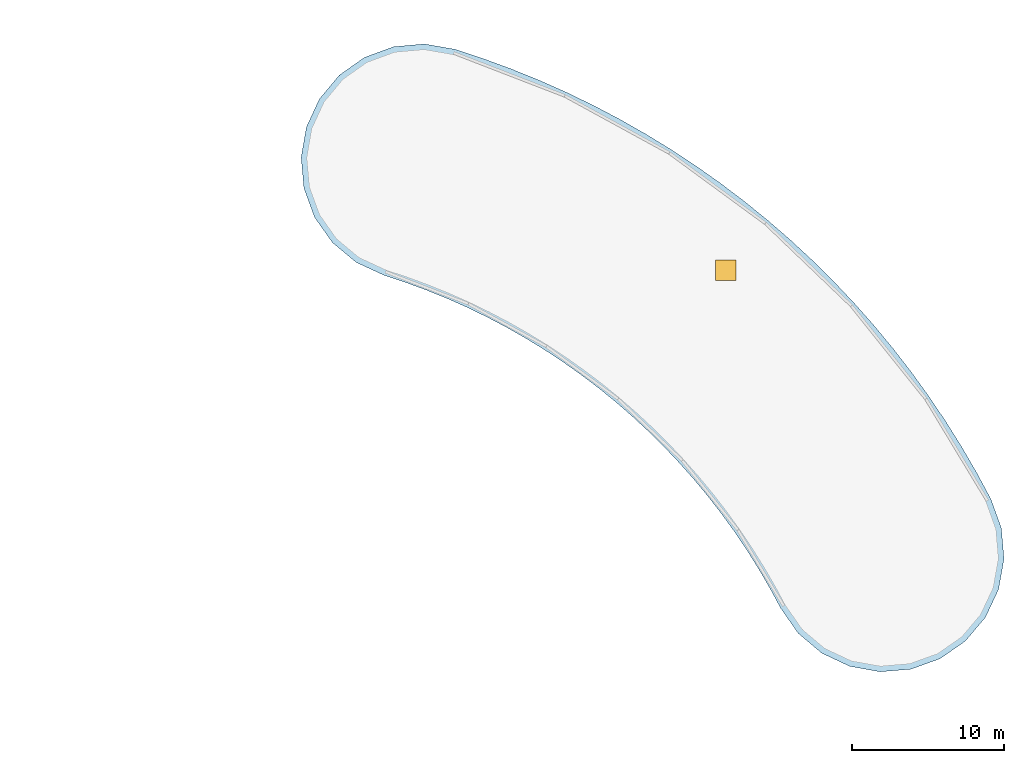
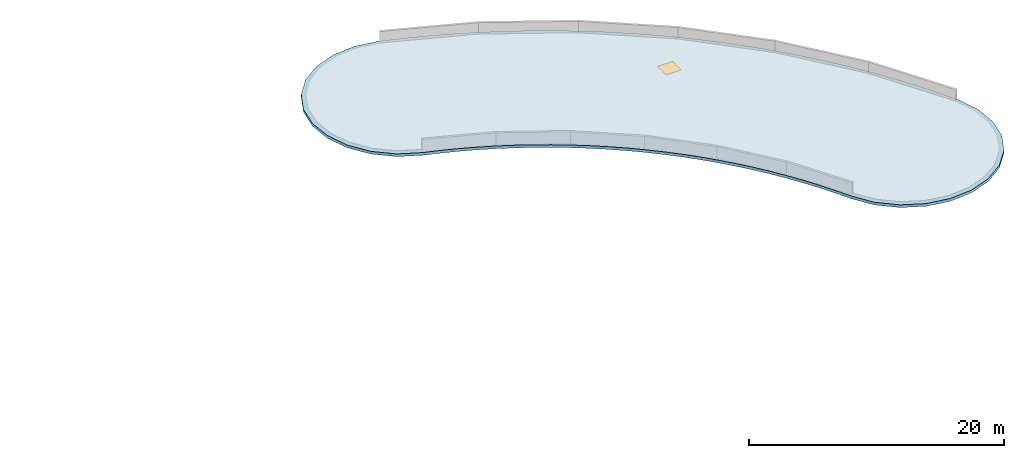
"""IFC4 building model written with IfcOpenShell, lengths in metres."""

from ifc_helpers import new_model, si_unit, direction, frame, origin, origin_2d, place, context, subcontext, project, spatial, polyline, rectangle, outline, extrude, material, layer, layer_set, type_object, element, fill, save


model = new_model("IFC4")

# Units and contexts
model_context = context("Model", 3, precision=1e-05, world=origin(), true_north=direction((0.0, 1.0)))
body_context = subcontext(model_context, "Body", "Model", "MODEL_VIEW")
ifc_project = project(units=[si_unit("LENGTHUNIT", "METRE"), si_unit("AREAUNIT", "SQUARE_METRE"), si_unit("VOLUMEUNIT", "CUBIC_METRE"), si_unit("PLANEANGLEUNIT", "RADIAN"), si_unit("MASSUNIT", "GRAM", prefix="KILO")], contexts=[model_context])

# Site, building, storey
site_placement = place(None, origin())
site = spatial("IfcSite", under=ifc_project, at=site_placement, CompositionType="ELEMENT")
building_placement = place(site_placement, origin())
building = spatial("IfcBuilding", under=site, at=building_placement, Name="Tanwirah Colonnade Gardens", CompositionType="ELEMENT")
storey_1_placement = place(building_placement, frame((0.0, 0.0, 45.800048828125)))
storey_1 = spatial("IfcBuildingStorey", under=building, at=storey_1_placement, Name="L13", CompositionType="ELEMENT", Elevation=45.800048828125)

# Slab, opening
ifc_material_1 = material(Name="Precast concrete C45/55", Category="concrete")
ifc_layer = layer(ifc_material_1, 0.260009765625)
ifc_layer_set = layer_set([ifc_layer], Name="Precast concrete C45/55")
slab_type = type_object("IfcSlabType", Name="RF-RES-260", PredefinedType="ROOF", material=ifc_layer_set)
slab_placement = place(storey_1_placement, frame((0.0, 0.0, -0.260009765625)))
slab = element("IfcSlab", 1, at=slab_placement, inside=storey_1, type_object=slab_type, Name="Block B Main Precast Roof Slab", PredefinedType="ROOF", context=body_context, shape_type="SweptSolid", body=[
    extrude(outline(polyline([(161.42822265625, 78.82373046875), (162.984130859375, 77.510498046875), (164.8271484375, 76.64453125), (166.831298828125, 76.28515625), (168.8603515625, 76.456787109375), (170.775634765625, 77.1474609375), (172.447021484375, 78.310546875), (173.760498046875, 79.86669921875), (174.62646484375, 81.70947265625), (174.98583984375, 83.7138671875), (174.814208984375, 85.74267578125), (174.123291015625, 87.658203125), (173.189453125, 89.394287109375), (172.19873046875, 91.0986328125), (171.152587890625, 92.76953125), (170.0517578125, 94.40478515625), (168.897705078125, 96.0029296875), (167.69140625, 97.562255859375), (166.4345703125, 99.0810546875), (165.12841796875, 100.5576171875), (163.774169921875, 101.990234375), (162.37353515625, 103.377197265625), (160.927734375, 104.717529296875), (159.438720703125, 106.009521484375), (157.907958984375, 107.25146484375), (156.3369140625, 108.442626953125), (154.7275390625, 109.5810546875), (153.08154296875, 110.666015625), (151.400634765625, 111.696044921875), (149.686767578125, 112.669921875), (147.94189453125, 113.587158203125), (146.16748046875, 114.446044921875), (144.36572265625, 115.24609375), (142.53857421875, 115.986328125), (140.688232421875, 116.666015625), (138.816162109375, 117.284423828125), (136.809814453125, 117.632080078125), (134.781982421875, 117.44873046875), (132.87060546875, 116.746826171875), (131.2060546875, 115.573974609375), (129.90185546875, 114.01025390625), (129.046630859375, 112.162353515625), (128.69873046875, 110.156005859375), (128.88232421875, 108.128173828125), (129.584228515625, 106.216796875), (130.757080078125, 104.55224609375), (132.320556640625, 103.248046875), (134.16845703125, 102.392822265625), (135.552001953125, 101.935791015625), (136.919921875, 101.433349609375), (138.270263671875, 100.88623046875), (139.60205078125, 100.294921875), (140.91357421875, 99.659912109375), (142.203369140625, 98.982177734375), (143.47021484375, 98.26220703125), (144.71240234375, 97.5009765625), (145.92919921875, 96.698974609375), (147.11865234375, 95.857421875), (148.27978515625, 94.977294921875), (149.4111328125, 94.05908203125), (150.51171875, 93.104248046875), (151.580322265625, 92.11376953125), (152.61572265625, 91.08837890625), (153.61669921875, 90.029541015625), (154.58203125, 88.938232421875), (155.510986328125, 87.815673828125), (156.402587890625, 86.6630859375), (157.255615234375, 85.48193359375), (158.0693359375, 84.27294921875), (158.842529296875, 83.0380859375), (159.57470703125, 81.7783203125), (160.26513671875, 80.4951171875), (161.42822265625, 78.82373046875)])), origin(), (0.0, 0.0, 1.0), 0.260009765625),
])
opening_placement = place(slab_placement, frame((156.6748046875, 102.715576171875, -0.010009765625)))
opening = element("IfcOpeningElement", 2, at=opening_placement, cuts=slab, Name="Opening SKY-HAT2", PredefinedType="OPENING", context=body_context, shape_type="SweptSolid", body=[
    extrude(rectangle(XDim=1.35009765625, YDim=1.35009765625, at=origin_2d()), origin(), (0.0, 0.0, 1.0), 0.280029296875),
])

# Storey
storey_2_placement = place(building_placement, frame((0.0, 0.0, 42.43994140625)))
storey_2 = spatial("IfcBuildingStorey", under=building, at=storey_2_placement, Name="L12", CompositionType="ELEMENT", Elevation=42.43994140625)

# Window
ifc_material_2 = material(Name="Thermally broken bronze aluminium and solar low-E double glazing", Category="aluminium")
window_type = type_object("IfcWindowType", Name="SKY-HAT2", PartitioningType="SINGLE_PANEL", PredefinedType="SKYLIGHT", material=ifc_material_2)
window_placement = place(slab_placement, frame((156.6748046875, 102.715576171875, 0.2099609375)))
window = element("IfcWindow", 3, at=window_placement, inside=storey_2, type_object=window_type, Name="Block B Roof Access Skylight Hatch", OverallHeight=1.35009765625, OverallWidth=1.35009765625, PartitioningType="SINGLE_PANEL", PredefinedType="SKYLIGHT", context=body_context, shape_type="SweptSolid", body=[
    extrude(rectangle(XDim=1.35009765625, YDim=1.35009765625, at=origin_2d()), origin(), (0.0, 0.0, 1.0), 0.050048828125),
])

fill(opening, window)

save(model, "model.ifc")
